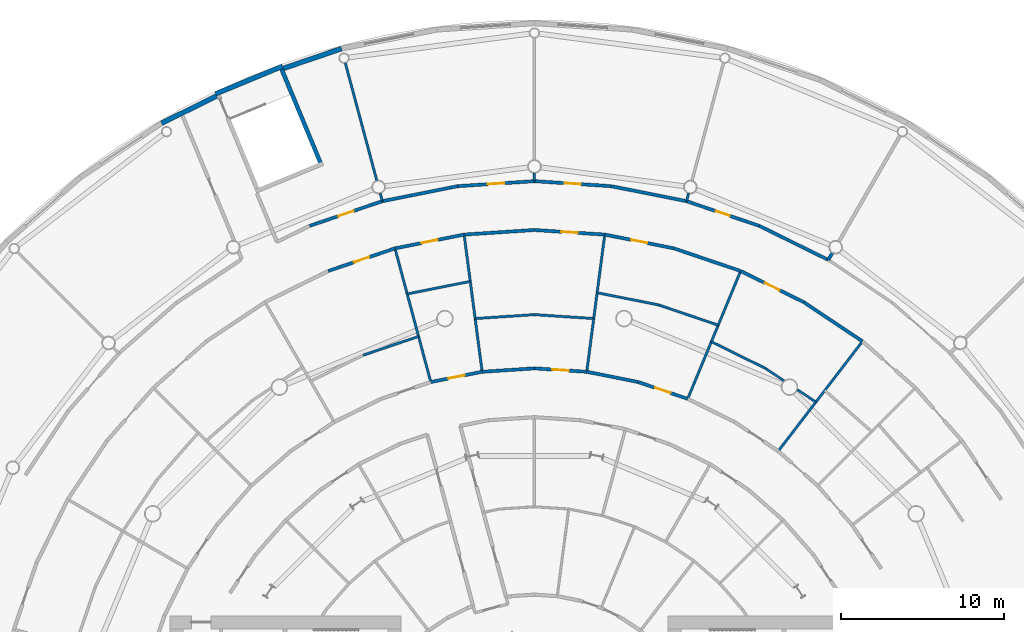
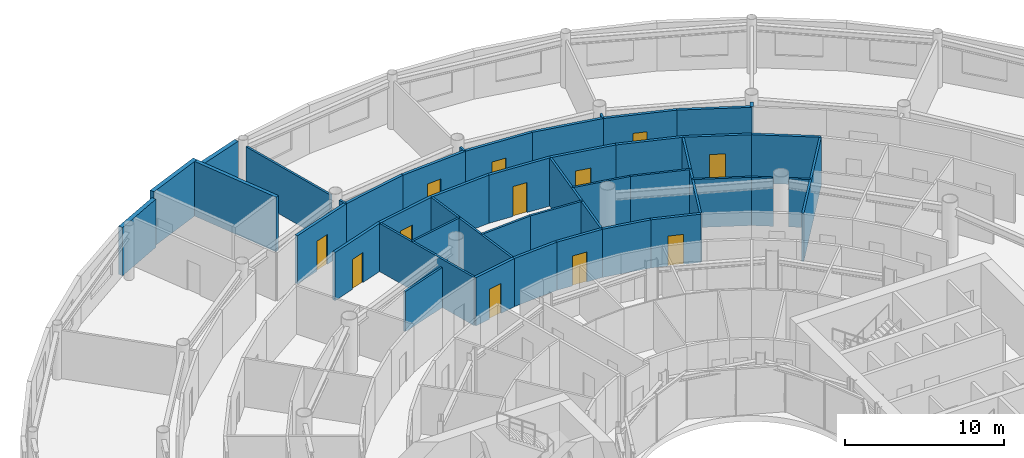
# One storey, part 22 of 29: 43 walls, 12 doors, 12 openings.
"""IFC4 building model written with IfcOpenShell, lengths in metres."""

from ifc_helpers import new_model, si_unit, direction, frame, frame_2d, origin, place, context, subcontext, project, spatial, rectangle, extrude, material, layer, layer_set, type_object, element, fill, save


model = new_model("IFC4")

# Units and contexts
model_context = context("Model", 3, precision=1e-05, world=origin(), true_north=direction((0.0, 1.0)))
body_context = subcontext(model_context, "Body", "Model", "MODEL_VIEW")
ifc_project = project(units=[si_unit("LENGTHUNIT", "METRE"), si_unit("AREAUNIT", "SQUARE_METRE"), si_unit("VOLUMEUNIT", "CUBIC_METRE"), si_unit("PLANEANGLEUNIT", "RADIAN"), si_unit("MASSUNIT", "GRAM", prefix="KILO")], contexts=[model_context])

# Site, building, storey
site_placement = place(None, origin())
site = spatial("IfcSite", under=ifc_project, at=site_placement, CompositionType="ELEMENT")
building_placement = place(site_placement, origin())
building = spatial("IfcBuilding", under=site, at=building_placement, Name="Maasbend Ring Residences", CompositionType="ELEMENT")
storey_placement = place(building_placement, frame((0.0, 0.0, 5.39990234375)))
storey = spatial("IfcBuildingStorey", under=building, at=storey_placement, Name="L01", CompositionType="ELEMENT", Elevation=5.39990234375)

# Walls
ifc_material_1 = material(Name="Concrete C70/85", Category="concrete")
ifc_layer_1 = layer(ifc_material_1, 0.25)
ifc_layer_set_1 = layer_set([ifc_layer_1], Name="Concrete C70/85")
wall_type_1 = type_object("IfcWallType", Name="CORE WALL 250 C70/85", PredefinedType="SHEAR", material=ifc_layer_set_1)
wall_1_placement = place(storey_placement, frame((-13.06103515625, 37.019775390625, 0.0), z_axis=(0.0, 0.0, 1.0), x_axis=(-0.38267940576, 0.923881200375, 0.0)))
element("IfcWall", 1, at=wall_1_placement, inside=storey, type_object=wall_type_1, Name="L01 ST-P1 enclosure wall WS-", PredefinedType="SHEAR", context=body_context, shape_type="SweptSolid", body=[
    extrude(rectangle(XDim=6.449951171875, YDim=0.25, at=frame_2d((3.22509765625, 0.0))), origin(), (0.0, 0.0, 1.0), 4.2001953125),
])
ifc_material_2 = material(Name="Concrete C70/85", Category="concrete")
ifc_layer_2 = layer(ifc_material_2, 0.300048828125)
ifc_layer_set_2 = layer_set([ifc_layer_2], Name="Concrete C70/85")
wall_type_2 = type_object("IfcWallType", Name="CORE WALL 300 C70/85", PredefinedType="SHEAR", material=ifc_layer_set_2)
wall_2_placement = place(storey_placement, frame((-15.47119140625, 43.1650390625, 0.0), z_axis=(0.0, 0.0, 1.0), x_axis=(-0.923886445216, -0.382666743194, 0.0)))
element("IfcWall", 2, at=wall_2_placement, inside=storey, type_object=wall_type_2, Name="L01 ST-P1 enclosure wall WOUT", PredefinedType="SHEAR", context=body_context, shape_type="SweptSolid", body=[
    extrude(rectangle(XDim=4.449951171875, YDim=0.300048828125, at=frame_2d((2.22509765625, 0.0))), origin(), (0.0, 0.0, 1.0), 4.2001953125),
])
ifc_material_3 = material(Name="Concrete C30/37", Category="concrete")
ifc_layer_3 = layer(ifc_material_3, 0.199951171875)
ifc_layer_set_3 = layer_set([ifc_layer_3], Name="Concrete C30/37")
wall_type_3 = type_object("IfcWallType", Name="CORRIDOR WALL 200 CONCRETE", PredefinedType="PARTITIONING", material=ifc_layer_set_3)
wall_3_placement = place(storey_placement, frame((18.052001953125, 31.262939453125, 0.0), z_axis=(0.0, 0.0, 1.0), x_axis=(0.499919672301, 0.866071776036, 0.0)))
element("IfcWall", 3, at=wall_3_placement, inside=storey, type_object=wall_type_3, Name="U-L01-w178", PredefinedType="PARTITIONING", context=body_context, shape_type="SweptSolid", body=[
    extrude(rectangle(XDim=0.5, YDim=0.199951171875, at=frame_2d((0.25, 0.0))), origin(), (0.0, 0.0, 1.0), 3.7001953125),
])

# Wall, opening, door
wall_4_placement = place(storey_placement, frame((-6.366943359375, 23.761962890625, 0.0), z_axis=(0.0, 0.0, 1.0), x_axis=(0.98077570041, 0.195138477717, 0.0)))
wall_4 = element("IfcWall", 4, at=wall_4_placement, inside=storey, type_object=wall_type_3, Name="U-L01-w250", PredefinedType="PARTITIONING", context=body_context, shape_type="SweptSolid", body=[
    extrude(rectangle(XDim=3.2177734375, YDim=0.199951171875, at=frame_2d((1.60888671875, 0.0))), origin(), (0.0, 0.0, 1.0), 3.7001953125),
])
opening_1_placement = place(wall_4_placement, frame((1.10888671875, 0.0, 0.0)))
opening_1 = element("IfcOpeningElement", 5, at=opening_1_placement, cuts=wall_4, Name="Opening D-0142", PredefinedType="OPENING", context=body_context, shape_type="SweptSolid", body=[
    extrude(rectangle(XDim=1.0, YDim=2.300048828125, at=frame_2d((0.5, 1.14990234375))), frame((0.0, 0.10986328125, 0.0), z_axis=(0.0, -1.0, 0.0), x_axis=(1.0, 0.0, 0.0)), (0.0, 0.0, 1.0), 0.219970703125),
])
ifc_material_4 = material(Name="Timber, painted", Category="wood")
door_type_1 = type_object("IfcDoorType", Name="ROOM DOOR 1000 X 2300", OperationType="NOTDEFINED", PredefinedType="DOOR", material=ifc_material_4)
door_1_placement = place(opening_1_placement, origin())
door_1 = element("IfcDoor", 6, at=door_1_placement, inside=storey, type_object=door_type_1, Name="D-0142", OperationType="SINGLE_SWING_RIGHT", OverallHeight=2.300048828125, OverallWidth=1.0, PredefinedType="DOOR", context=body_context, shape_type="SweptSolid", body=[
    extrude(rectangle(XDim=1.0, YDim=2.300048828125, at=frame_2d((0.5, 1.14990234375))), frame((0.0, 0.02490234375, 0.0), z_axis=(0.0, -1.0, 0.0), x_axis=(1.0, 0.0, 0.0)), (0.0, 0.0, 1.0), 0.050048828125),
])
fill(opening_1, door_1)

# Wall
wall_5_placement = place(storey_placement, frame((-3.2109375, 24.389892578125, 0.0), z_axis=(0.0, 0.0, 1.0), x_axis=(0.997864008616, 0.06532549509, 0.0)))
element("IfcWall", 7, at=wall_5_placement, inside=storey, type_object=wall_type_3, Name="U-L01-w251", PredefinedType="PARTITIONING", context=body_context, shape_type="SweptSolid", body=[
    extrude(rectangle(XDim=3.2177734375, YDim=0.199951171875, at=frame_2d((1.60888671875, 0.0))), origin(), (0.0, 0.0, 1.0), 3.7001953125),
])

# Wall, opening, door
wall_6_placement = place(storey_placement, frame((0.0, 24.60009765625, 0.0), z_axis=(0.0, 0.0, 1.0), x_axis=(0.997864008616, -0.06532549509, 0.0)))
wall_6 = element("IfcWall", 8, at=wall_6_placement, inside=storey, type_object=wall_type_3, Name="U-L01-w252", PredefinedType="PARTITIONING", context=body_context, shape_type="SweptSolid", body=[
    extrude(rectangle(XDim=3.2177734375, YDim=0.199951171875, at=frame_2d((1.60888671875, 0.0))), origin(), (0.0, 0.0, 1.0), 3.7001953125),
])
opening_2_placement = place(wall_6_placement, frame((1.10888671875, 0.0, 0.0)))
opening_2 = element("IfcOpeningElement", 9, at=opening_2_placement, cuts=wall_6, Name="Opening D-0140", PredefinedType="OPENING", context=body_context, shape_type="SweptSolid", body=[
    extrude(rectangle(XDim=1.0, YDim=2.300048828125, at=frame_2d((0.5, 1.14990234375))), frame((0.0, 0.10986328125, 0.0), z_axis=(0.0, -1.0, 0.0), x_axis=(1.0, 0.0, 0.0)), (0.0, 0.0, 1.0), 0.219970703125),
])
door_2_placement = place(opening_2_placement, origin())
door_2 = element("IfcDoor", 10, at=door_2_placement, inside=storey, type_object=door_type_1, Name="D-0140", OperationType="SINGLE_SWING_RIGHT", OverallHeight=2.300048828125, OverallWidth=1.0, PredefinedType="DOOR", context=body_context, shape_type="SweptSolid", body=[
    extrude(rectangle(XDim=1.0, YDim=2.300048828125, at=frame_2d((0.5, 1.14990234375))), frame((0.0, 0.02490234375, 0.0), z_axis=(0.0, -1.0, 0.0), x_axis=(1.0, 0.0, 0.0)), (0.0, 0.0, 1.0), 0.050048828125),
])
fill(opening_2, door_2)

# Wall
wall_7_placement = place(storey_placement, frame((3.2109375, 24.389892578125, 0.0), z_axis=(0.0, 0.0, 1.0), x_axis=(0.98077570041, -0.195138477717, 0.0)))
element("IfcWall", 11, at=wall_7_placement, inside=storey, type_object=wall_type_3, Name="U-L01-w253", PredefinedType="PARTITIONING", context=body_context, shape_type="SweptSolid", body=[
    extrude(rectangle(XDim=3.2177734375, YDim=0.199951171875, at=frame_2d((1.60888671875, 0.0))), origin(), (0.0, 0.0, 1.0), 3.7001953125),
])

# Wall, opening, door
wall_8_placement = place(storey_placement, frame((6.366943359375, 23.761962890625, 0.0), z_axis=(0.0, 0.0, 1.0), x_axis=(0.946877665823, -0.321593976879, 0.0)))
wall_8 = element("IfcWall", 12, at=wall_8_placement, inside=storey, type_object=wall_type_3, Name="U-L01-w254", PredefinedType="PARTITIONING", context=body_context, shape_type="SweptSolid", body=[
    extrude(rectangle(XDim=3.218017578125, YDim=0.199951171875, at=frame_2d((1.60888671875, 0.0))), origin(), (0.0, 0.0, 1.0), 3.7001953125),
])
opening_3_placement = place(wall_8_placement, frame((1.10888671875, 0.0, 0.0)))
opening_3 = element("IfcOpeningElement", 13, at=opening_3_placement, cuts=wall_8, Name="Opening D-0138", PredefinedType="OPENING", context=body_context, shape_type="SweptSolid", body=[
    extrude(rectangle(XDim=1.0, YDim=2.300048828125, at=frame_2d((0.5, 1.14990234375))), frame((0.0, 0.10986328125, 0.0), z_axis=(0.0, -1.0, 0.0), x_axis=(1.0, 0.0, 0.0)), (0.0, 0.0, 1.0), 0.219970703125),
])
door_3_placement = place(opening_3_placement, origin())
door_3 = element("IfcDoor", 14, at=door_3_placement, inside=storey, type_object=door_type_1, Name="D-0138", OperationType="SINGLE_SWING_RIGHT", OverallHeight=2.300048828125, OverallWidth=1.0, PredefinedType="DOOR", context=body_context, shape_type="SweptSolid", body=[
    extrude(rectangle(XDim=1.0, YDim=2.300048828125, at=frame_2d((0.5, 1.14990234375))), frame((0.0, 0.02490234375, 0.0), z_axis=(0.0, -1.0, 0.0), x_axis=(1.0, 0.0, 0.0)), (0.0, 0.0, 1.0), 0.050048828125),
])
fill(opening_3, door_3)

wall_9_placement = place(storey_placement, frame((-12.6669921875, 30.580078125, 0.0), z_axis=(0.0, 0.0, 1.0), x_axis=(0.946926608104, 0.3214498388, 0.0)))
wall_9 = element("IfcWall", 15, at=wall_9_placement, inside=storey, type_object=wall_type_3, Name="U-L01-w292", PredefinedType="PARTITIONING", context=body_context, shape_type="SweptSolid", body=[
    extrude(rectangle(XDim=4.329833984375, YDim=0.199951171875, at=frame_2d((2.1650390625, 0.0))), origin(), (0.0, 0.0, 1.0), 3.7001953125),
])
opening_4_placement = place(wall_9_placement, frame((1.6650390625, 0.0, 0.0)))
opening_4 = element("IfcOpeningElement", 16, at=opening_4_placement, cuts=wall_9, Name="Opening D-0145", PredefinedType="OPENING", context=body_context, shape_type="SweptSolid", body=[
    extrude(rectangle(XDim=1.0, YDim=2.300048828125, at=frame_2d((0.5, 1.14990234375))), frame((0.0, 0.10986328125, 0.0), z_axis=(0.0, -1.0, 0.0), x_axis=(1.0, 0.0, 0.0)), (0.0, 0.0, 1.0), 0.219970703125),
])
door_4_placement = place(opening_4_placement, origin())
door_4 = element("IfcDoor", 17, at=door_4_placement, inside=storey, type_object=door_type_1, Name="D-0145", OperationType="SINGLE_SWING_RIGHT", OverallHeight=2.300048828125, OverallWidth=1.0, PredefinedType="DOOR", context=body_context, shape_type="SweptSolid", body=[
    extrude(rectangle(XDim=1.0, YDim=2.300048828125, at=frame_2d((0.5, 1.14990234375))), frame((0.0, 0.02490234375, 0.0), z_axis=(0.0, -1.0, 0.0), x_axis=(1.0, 0.0, 0.0)), (0.0, 0.0, 1.0), 0.050048828125),
])
fill(opening_4, door_4)

wall_10_placement = place(storey_placement, frame((-8.56689453125, 31.971923828125, 0.0), z_axis=(0.0, 0.0, 1.0), x_axis=(0.980775360662, 0.195140185298, 0.0)))
wall_10 = element("IfcWall", 18, at=wall_10_placement, inside=storey, type_object=wall_type_3, Name="U-L01-w293", PredefinedType="PARTITIONING", context=body_context, shape_type="SweptSolid", body=[
    extrude(rectangle(XDim=4.330078125, YDim=0.199951171875, at=frame_2d((2.1650390625, 0.0))), origin(), (0.0, 0.0, 1.0), 3.7001953125),
])
opening_5_placement = place(wall_10_placement, frame((1.6650390625, 0.0, 0.0)))
opening_5 = element("IfcOpeningElement", 19, at=opening_5_placement, cuts=wall_10, Name="Opening D-0143", PredefinedType="OPENING", context=body_context, shape_type="SweptSolid", body=[
    extrude(rectangle(XDim=1.0, YDim=2.300048828125, at=frame_2d((0.5, 1.14990234375))), frame((0.0, 0.10986328125, 0.0), z_axis=(0.0, -1.0, 0.0), x_axis=(1.0, 0.0, 0.0)), (0.0, 0.0, 1.0), 0.219970703125),
])
door_5_placement = place(opening_5_placement, origin())
door_5 = element("IfcDoor", 20, at=door_5_placement, inside=storey, type_object=door_type_1, Name="D-0143", OperationType="SINGLE_SWING_RIGHT", OverallHeight=2.300048828125, OverallWidth=1.0, PredefinedType="DOOR", context=body_context, shape_type="SweptSolid", body=[
    extrude(rectangle(XDim=1.0, YDim=2.300048828125, at=frame_2d((0.5, 1.14990234375))), frame((0.0, 0.02490234375, 0.0), z_axis=(0.0, -1.0, 0.0), x_axis=(1.0, 0.0, 0.0)), (0.0, 0.0, 1.0), 0.050048828125),
])
fill(opening_5, door_5)

# Wall
wall_11_placement = place(storey_placement, frame((-4.320068359375, 32.81689453125, 0.0), z_axis=(0.0, 0.0, 1.0), x_axis=(0.997858156097, 0.065414832499, 0.0)))
element("IfcWall", 21, at=wall_11_placement, inside=storey, type_object=wall_type_3, Name="U-L01-w294", PredefinedType="PARTITIONING", context=body_context, shape_type="SweptSolid", body=[
    extrude(rectangle(XDim=4.329345703125, YDim=0.199951171875, at=frame_2d((2.16455078125, 0.0))), origin(), (0.0, 0.0, 1.0), 3.7001953125),
])

# Wall, opening, door
wall_12_placement = place(storey_placement, frame((0.0, 33.10009765625, 0.0), z_axis=(0.0, 0.0, 1.0), x_axis=(0.997858156097, -0.065414832499, 0.0)))
wall_12 = element("IfcWall", 22, at=wall_12_placement, inside=storey, type_object=wall_type_3, Name="U-L01-w295", PredefinedType="PARTITIONING", context=body_context, shape_type="SweptSolid", body=[
    extrude(rectangle(XDim=4.329345703125, YDim=0.199951171875, at=frame_2d((2.16455078125, 0.0))), origin(), (0.0, 0.0, 1.0), 3.7001953125),
])
opening_6_placement = place(wall_12_placement, frame((1.6650390625, 0.0, 0.0)))
opening_6 = element("IfcOpeningElement", 23, at=opening_6_placement, cuts=wall_12, Name="Opening D-0141", PredefinedType="OPENING", context=body_context, shape_type="SweptSolid", body=[
    extrude(rectangle(XDim=1.0, YDim=2.300048828125, at=frame_2d((0.5, 1.14990234375))), frame((0.0, 0.10986328125, 0.0), z_axis=(0.0, -1.0, 0.0), x_axis=(1.0, 0.0, 0.0)), (0.0, 0.0, 1.0), 0.219970703125),
])
door_6_placement = place(opening_6_placement, origin())
door_6 = element("IfcDoor", 24, at=door_6_placement, inside=storey, type_object=door_type_1, Name="D-0141", OperationType="SINGLE_SWING_RIGHT", OverallHeight=2.300048828125, OverallWidth=1.0, PredefinedType="DOOR", context=body_context, shape_type="SweptSolid", body=[
    extrude(rectangle(XDim=1.0, YDim=2.300048828125, at=frame_2d((0.5, 1.14990234375))), frame((0.0, 0.02490234375, 0.0), z_axis=(0.0, -1.0, 0.0), x_axis=(1.0, 0.0, 0.0)), (0.0, 0.0, 1.0), 0.050048828125),
])
fill(opening_6, door_6)

wall_13_placement = place(storey_placement, frame((4.320068359375, 32.81689453125, 0.0), z_axis=(0.0, 0.0, 1.0), x_axis=(0.980775360662, -0.195140185298, 0.0)))
wall_13 = element("IfcWall", 25, at=wall_13_placement, inside=storey, type_object=wall_type_3, Name="U-L01-w296", PredefinedType="PARTITIONING", context=body_context, shape_type="SweptSolid", body=[
    extrude(rectangle(XDim=4.330078125, YDim=0.199951171875, at=frame_2d((2.1650390625, 0.0))), origin(), (0.0, 0.0, 1.0), 3.7001953125),
])
opening_7_placement = place(wall_13_placement, frame((1.6650390625, 0.0, 0.0)))
opening_7 = element("IfcOpeningElement", 26, at=opening_7_placement, cuts=wall_13, Name="Opening D-0139", PredefinedType="OPENING", context=body_context, shape_type="SweptSolid", body=[
    extrude(rectangle(XDim=1.0, YDim=2.300048828125, at=frame_2d((0.5, 1.14990234375))), frame((0.0, 0.10986328125, 0.0), z_axis=(0.0, -1.0, 0.0), x_axis=(1.0, 0.0, 0.0)), (0.0, 0.0, 1.0), 0.219970703125),
])
door_7_placement = place(opening_7_placement, origin())
door_7 = element("IfcDoor", 27, at=door_7_placement, inside=storey, type_object=door_type_1, Name="D-0139", OperationType="SINGLE_SWING_LEFT", OverallHeight=2.300048828125, OverallWidth=1.0, PredefinedType="DOOR", context=body_context, shape_type="SweptSolid", body=[
    extrude(rectangle(XDim=1.0, YDim=2.300048828125, at=frame_2d((0.5, 1.14990234375))), frame((0.0, 0.02490234375, 0.0), z_axis=(0.0, -1.0, 0.0), x_axis=(1.0, 0.0, 0.0)), (0.0, 0.0, 1.0), 0.050048828125),
])
fill(opening_7, door_7)

# Wall
wall_14_placement = place(storey_placement, frame((8.56689453125, 31.971923828125, 0.0), z_axis=(0.0, 0.0, 1.0), x_axis=(0.946926608104, -0.3214498388, 0.0)))
element("IfcWall", 28, at=wall_14_placement, inside=storey, type_object=wall_type_3, Name="U-L01-w297", PredefinedType="PARTITIONING", context=body_context, shape_type="SweptSolid", body=[
    extrude(rectangle(XDim=4.329833984375, YDim=0.199951171875, at=frame_2d((2.1650390625, 0.0))), origin(), (0.0, 0.0, 1.0), 3.7001953125),
])

# Wall, opening, door
wall_15_placement = place(storey_placement, frame((12.6669921875, 30.580078125, 0.0), z_axis=(0.0, 0.0, 1.0), x_axis=(0.89686106512, -0.442312366853, 0.0)))
wall_15 = element("IfcWall", 29, at=wall_15_placement, inside=storey, type_object=wall_type_3, Name="U-L01-w298", PredefinedType="PARTITIONING", context=body_context, shape_type="SweptSolid", body=[
    extrude(rectangle(XDim=4.32958984375, YDim=0.199951171875, at=frame_2d((2.164794921875, 0.0))), origin(), (0.0, 0.0, 1.0), 3.7001953125),
])
opening_8_placement = place(wall_15_placement, frame((1.6650390625, 0.0, 0.0)))
opening_8 = element("IfcOpeningElement", 30, at=opening_8_placement, cuts=wall_15, Name="Opening D-0137", PredefinedType="OPENING", context=body_context, shape_type="SweptSolid", body=[
    extrude(rectangle(XDim=1.0, YDim=2.300048828125, at=frame_2d((0.5, 1.14990234375))), frame((0.0, 0.10986328125, 0.0), z_axis=(0.0, -1.0, 0.0), x_axis=(1.0, 0.0, 0.0)), (0.0, 0.0, 1.0), 0.219970703125),
])
door_8_placement = place(opening_8_placement, origin())
door_8 = element("IfcDoor", 31, at=door_8_placement, inside=storey, type_object=door_type_1, Name="D-0137", OperationType="SINGLE_SWING_RIGHT", OverallHeight=2.300048828125, OverallWidth=1.0, PredefinedType="DOOR", context=body_context, shape_type="SweptSolid", body=[
    extrude(rectangle(XDim=1.0, YDim=2.300048828125, at=frame_2d((0.5, 1.14990234375))), frame((0.0, 0.02490234375, 0.0), z_axis=(0.0, -1.0, 0.0), x_axis=(1.0, 0.0, 0.0)), (0.0, 0.0, 1.0), 0.050048828125),
])
fill(opening_8, door_8)

# Wall
wall_16_placement = place(storey_placement, frame((16.550048828125, 28.6650390625, 0.0), z_axis=(0.0, 0.0, 1.0), x_axis=(0.831503319646, -0.555519783102, 0.0)))
element("IfcWall", 32, at=wall_16_placement, inside=storey, type_object=wall_type_3, Name="U-L01-w299", PredefinedType="PARTITIONING", context=body_context, shape_type="SweptSolid", body=[
    extrude(rectangle(XDim=4.329345703125, YDim=0.199951171875, at=frame_2d((2.16455078125, 0.0))), origin(), (0.0, 0.0, 1.0), 3.7001953125),
])

# Wall, opening, door
wall_17_placement = place(storey_placement, frame((-13.81494140625, 33.35205078125, 0.0), z_axis=(0.0, 0.0, 1.0), x_axis=(0.946926725229, 0.321449493775, 0.0)))
wall_17 = element("IfcWall", 33, at=wall_17_placement, inside=storey, type_object=wall_type_3, Name="U-L01-w308", PredefinedType="PARTITIONING", context=body_context, shape_type="SweptSolid", body=[
    extrude(rectangle(XDim=4.72265625, YDim=0.199951171875, at=frame_2d((2.361328125, 0.0))), origin(), (0.0, 0.0, 1.0), 3.7001953125),
])
opening_9_placement = place(wall_17_placement, frame((1.861083984375, 0.0, 0.0)))
opening_9 = element("IfcOpeningElement", 34, at=opening_9_placement, cuts=wall_17, Name="Opening D-0176", PredefinedType="OPENING", context=body_context, shape_type="SweptSolid", body=[
    extrude(rectangle(XDim=1.0, YDim=2.300048828125, at=frame_2d((0.5, 1.14990234375))), frame((0.0, 0.10986328125, 0.0), z_axis=(0.0, -1.0, 0.0), x_axis=(1.0, 0.0, 0.0)), (0.0, 0.0, 1.0), 0.219970703125),
])
door_9_placement = place(opening_9_placement, origin())
door_9 = element("IfcDoor", 35, at=door_9_placement, inside=storey, type_object=door_type_1, Name="D-0176", OperationType="SINGLE_SWING_LEFT", OverallHeight=2.300048828125, OverallWidth=1.0, PredefinedType="DOOR", context=body_context, shape_type="SweptSolid", body=[
    extrude(rectangle(XDim=1.0, YDim=2.300048828125, at=frame_2d((0.5, 1.14990234375))), frame((0.0, 0.02490234375, 0.0), z_axis=(0.0, -1.0, 0.0), x_axis=(1.0, 0.0, 0.0)), (0.0, 0.0, 1.0), 0.050048828125),
])
fill(opening_9, door_9)

# Wall
wall_18_placement = place(storey_placement, frame((-9.343017578125, 34.8701171875, 0.0), z_axis=(0.0, 0.0, 1.0), x_axis=(0.980796841032, 0.195032193809, 0.0)))
element("IfcWall", 36, at=wall_18_placement, inside=storey, type_object=wall_type_3, Name="U-L01-w309", PredefinedType="PARTITIONING", context=body_context, shape_type="SweptSolid", body=[
    extrude(rectangle(XDim=4.7216796875, YDim=0.199951171875, at=frame_2d((2.36083984375, 0.0))), origin(), (0.0, 0.0, 1.0), 3.7001953125),
])

# Wall, opening, door
wall_19_placement = place(storey_placement, frame((-4.7119140625, 35.791015625, 0.0), z_axis=(0.0, 0.0, 1.0), x_axis=(0.997855509942, 0.065455185264, 0.0)))
wall_19 = element("IfcWall", 37, at=wall_19_placement, inside=storey, type_object=wall_type_3, Name="U-L01-w310", PredefinedType="PARTITIONING", context=body_context, shape_type="SweptSolid", body=[
    extrude(rectangle(XDim=4.721923828125, YDim=0.199951171875, at=frame_2d((2.36083984375, 0.0))), origin(), (0.0, 0.0, 1.0), 3.7001953125),
])
opening_10_placement = place(wall_19_placement, frame((1.861083984375, 0.0, 0.0)))
opening_10 = element("IfcOpeningElement", 38, at=opening_10_placement, cuts=wall_19, Name="Opening D-0175", PredefinedType="OPENING", context=body_context, shape_type="SweptSolid", body=[
    extrude(rectangle(XDim=1.0, YDim=2.300048828125, at=frame_2d((0.5, 1.14990234375))), frame((0.0, 0.10986328125, 0.0), z_axis=(0.0, -1.0, 0.0), x_axis=(1.0, 0.0, 0.0)), (0.0, 0.0, 1.0), 0.219970703125),
])
door_10_placement = place(opening_10_placement, origin())
door_10 = element("IfcDoor", 39, at=door_10_placement, inside=storey, type_object=door_type_1, Name="D-0175", OperationType="SINGLE_SWING_LEFT", OverallHeight=2.300048828125, OverallWidth=1.0, PredefinedType="DOOR", context=body_context, shape_type="SweptSolid", body=[
    extrude(rectangle(XDim=1.0, YDim=2.300048828125, at=frame_2d((0.5, 1.14990234375))), frame((0.0, 0.02490234375, 0.0), z_axis=(0.0, -1.0, 0.0), x_axis=(1.0, 0.0, 0.0)), (0.0, 0.0, 1.0), 0.050048828125),
])
fill(opening_10, door_10)

wall_20_placement = place(storey_placement, frame((0.0, 36.10009765625, 0.0), z_axis=(0.0, 0.0, 1.0), x_axis=(0.997855509942, -0.065455185264, 0.0)))
wall_20 = element("IfcWall", 40, at=wall_20_placement, inside=storey, type_object=wall_type_3, Name="U-L01-w311", PredefinedType="PARTITIONING", context=body_context, shape_type="SweptSolid", body=[
    extrude(rectangle(XDim=4.721923828125, YDim=0.199951171875, at=frame_2d((2.36083984375, 0.0))), origin(), (0.0, 0.0, 1.0), 3.7001953125),
])
opening_11_placement = place(wall_20_placement, frame((1.861083984375, 0.0, 0.0)))
opening_11 = element("IfcOpeningElement", 41, at=opening_11_placement, cuts=wall_20, Name="Opening D-0174", PredefinedType="OPENING", context=body_context, shape_type="SweptSolid", body=[
    extrude(rectangle(XDim=1.0, YDim=2.300048828125, at=frame_2d((0.5, 1.14990234375))), frame((0.0, 0.10986328125, 0.0), z_axis=(0.0, -1.0, 0.0), x_axis=(1.0, 0.0, 0.0)), (0.0, 0.0, 1.0), 0.219970703125),
])
door_11_placement = place(opening_11_placement, origin())
door_11 = element("IfcDoor", 42, at=door_11_placement, inside=storey, type_object=door_type_1, Name="D-0174", OperationType="SINGLE_SWING_RIGHT", OverallHeight=2.300048828125, OverallWidth=1.0, PredefinedType="DOOR", context=body_context, shape_type="SweptSolid", body=[
    extrude(rectangle(XDim=1.0, YDim=2.300048828125, at=frame_2d((0.5, 1.14990234375))), frame((0.0, 0.02490234375, 0.0), z_axis=(0.0, -1.0, 0.0), x_axis=(1.0, 0.0, 0.0)), (0.0, 0.0, 1.0), 0.050048828125),
])
fill(opening_11, door_11)

# Wall
wall_21_placement = place(storey_placement, frame((4.7119140625, 35.791015625, 0.0), z_axis=(0.0, 0.0, 1.0), x_axis=(0.980796841032, -0.195032193809, 0.0)))
element("IfcWall", 43, at=wall_21_placement, inside=storey, type_object=wall_type_3, Name="U-L01-w312", PredefinedType="PARTITIONING", context=body_context, shape_type="SweptSolid", body=[
    extrude(rectangle(XDim=4.7216796875, YDim=0.199951171875, at=frame_2d((2.36083984375, 0.0))), origin(), (0.0, 0.0, 1.0), 3.7001953125),
])

# Wall, opening, door
wall_22_placement = place(storey_placement, frame((9.343017578125, 34.8701171875, 0.0), z_axis=(0.0, 0.0, 1.0), x_axis=(0.946926725229, -0.321449493775, 0.0)))
wall_22 = element("IfcWall", 44, at=wall_22_placement, inside=storey, type_object=wall_type_3, Name="U-L01-w313", PredefinedType="PARTITIONING", context=body_context, shape_type="SweptSolid", body=[
    extrude(rectangle(XDim=4.72265625, YDim=0.199951171875, at=frame_2d((2.361328125, 0.0))), origin(), (0.0, 0.0, 1.0), 3.7001953125),
])
opening_12_placement = place(wall_22_placement, frame((1.910888671875, 0.0, 0.0)))
opening_12 = element("IfcOpeningElement", 45, at=opening_12_placement, cuts=wall_22, Name="Opening D-0173", PredefinedType="OPENING", context=body_context, shape_type="SweptSolid", body=[
    extrude(rectangle(XDim=0.89990234375, YDim=2.300048828125, at=frame_2d((0.449951171875, 1.14990234375))), frame((0.0, 0.10986328125, 0.0), z_axis=(0.0, -1.0, 0.0), x_axis=(1.0, 0.0, 0.0)), (0.0, 0.0, 1.0), 0.219970703125),
])
ifc_material_5 = material(Name="Steel, fire-rated, painted", Category="steel")
door_type_2 = type_object("IfcDoorType", Name="SERVICE DOOR 900 X 2300 FIRE-RATED", OperationType="NOTDEFINED", PredefinedType="DOOR", material=ifc_material_5)
door_12_placement = place(opening_12_placement, origin())
door_12 = element("IfcDoor", 46, at=door_12_placement, inside=storey, type_object=door_type_2, Name="D-0173", OperationType="SINGLE_SWING_RIGHT", OverallHeight=2.300048828125, OverallWidth=0.89990234375, PredefinedType="DOOR", context=body_context, shape_type="SweptSolid", body=[
    extrude(rectangle(XDim=0.89990234375, YDim=2.300048828125, at=frame_2d((0.449951171875, 1.14990234375))), frame((0.0, 0.02490234375, 0.0), z_axis=(0.0, -1.0, 0.0), x_axis=(1.0, 0.0, 0.0)), (0.0, 0.0, 1.0), 0.050048828125),
])
fill(opening_12, door_12)

# Walls
wall_23_placement = place(storey_placement, frame((13.81494140625, 33.35205078125, 0.0), z_axis=(0.0, 0.0, 1.0), x_axis=(0.896905425474, -0.442222407568, 0.0)))
element("IfcWall", 47, at=wall_23_placement, inside=storey, type_object=wall_type_3, Name="U-L01-w314", PredefinedType="PARTITIONING", context=body_context, shape_type="SweptSolid", body=[
    extrude(rectangle(XDim=4.721923828125, YDim=0.199951171875, at=frame_2d((2.36083984375, 0.0))), origin(), (0.0, 0.0, 1.0), 3.7001953125),
])
ifc_material_6 = material(Name="Pale anodised aluminium panel", Category="aluminium")
ifc_layer_4 = layer(ifc_material_6, 0.300048828125)
ifc_layer_set_4 = layer_set([ifc_layer_4], Name="EW-BASE")
wall_type_4 = type_object("IfcWallType", Name="EW-BASE", PredefinedType="SOLIDWALL", material=ifc_layer_set_4)
wall_24_placement = place(storey_placement, frame((-11.85400390625, 44.239013671875, 0.0), z_axis=(0.0, 0.0, 1.0), x_axis=(-0.946915897629, -0.321481387979, 0.0)))
element("IfcWall", 48, at=wall_24_placement, inside=storey, type_object=wall_type_4, Name="Base block wall 15a", PredefinedType="SOLIDWALL", context=body_context, shape_type="SweptSolid", body=[
    extrude(rectangle(XDim=3.7607421875, YDim=0.300048828125, at=frame_2d((1.88037109375, 0.0))), origin(), (0.0, 0.0, 1.0), 3.7001953125),
])
wall_25_placement = place(storey_placement, frame((-19.527099609375, 41.326904296875, 0.0), z_axis=(0.0, 0.0, 1.0), x_axis=(-0.896919197762, -0.44219447383, 0.0)))
element("IfcWall", 49, at=wall_25_placement, inside=storey, type_object=wall_type_4, Name="Base block wall 16a", PredefinedType="SOLIDWALL", context=body_context, shape_type="SweptSolid", body=[
    extrude(rectangle(XDim=3.760498046875, YDim=0.300048828125, at=frame_2d((1.88037109375, 0.0))), origin(), (0.0, 0.0, 1.0), 3.7001953125),
])
ifc_material_7 = material(Name="Gypsum board on steel studs", Category="steel")
ifc_layer_5 = layer(ifc_material_7, 0.14990234375)
ifc_layer_set_5 = layer_set([ifc_layer_5], Name="PARTITION 150 GYPSUM")
wall_type_5 = type_object("IfcWallType", Name="PARTITION 150 GYPSUM", PredefinedType="PARTITIONING", material=ifc_layer_set_5)
wall_26_placement = place(storey_placement, frame((3.212890625, 24.389892578125, 0.0), z_axis=(0.0, 0.0, 1.0), x_axis=(0.130265034912, 0.991479208395, 0.0)))
element("IfcWall", 50, at=wall_26_placement, inside=storey, type_object=wall_type_5, Name="U-L01-w130", PredefinedType="PARTITIONING", context=body_context, shape_type="SweptSolid", body=[
    extrude(rectangle(XDim=8.49951171875, YDim=0.14990234375, at=frame_2d((4.249755859375, 0.0))), origin(), (0.0, 0.0, 1.0), 3.7001953125),
])
wall_27_placement = place(storey_placement, frame((-11.6201171875, 43.3701171875, 0.0), z_axis=(0.0, 0.0, 1.0), x_axis=(0.258677511578, -0.965963738969, 0.0)))
element("IfcWall", 51, at=wall_27_placement, inside=storey, type_object=wall_type_5, Name="U-L01-w145", PredefinedType="PARTITIONING", context=body_context, shape_type="SweptSolid", body=[
    extrude(rectangle(XDim=7.50048828125, YDim=0.14990234375, at=frame_2d((3.750244140625, 0.0))), origin(), (0.0, 0.0, 1.0), 3.7001953125),
])
wall_28_placement = place(storey_placement, frame((-9.472900390625, 35.35302734375, 0.0), z_axis=(0.0, 0.0, 1.0), x_axis=(0.259728349388, -0.965681720094, 0.0)))
element("IfcWall", 52, at=wall_28_placement, inside=storey, type_object=wall_type_5, Name="U-L01-w150", PredefinedType="PARTITIONING", context=body_context, shape_type="SweptSolid", body=[
    extrude(rectangle(XDim=0.5, YDim=0.14990234375, at=frame_2d((0.25, 0.0))), origin(), (0.0, 0.0, 1.0), 3.7001953125),
])
wall_29_placement = place(storey_placement, frame((-8.56689453125, 31.971923828125, 0.0), z_axis=(0.0, 0.0, 1.0), x_axis=(0.258722684363, -0.96595164092, 0.0)))
element("IfcWall", 53, at=wall_29_placement, inside=storey, type_object=wall_type_5, Name="U-L01-w152", PredefinedType="PARTITIONING", context=body_context, shape_type="SweptSolid", body=[
    extrude(rectangle(XDim=8.499267578125, YDim=0.14990234375, at=frame_2d((4.24951171875, 0.0))), origin(), (0.0, 0.0, 1.0), 3.7001953125),
])
wall_30_placement = place(storey_placement, frame((-4.320068359375, 32.81689453125, 0.0), z_axis=(0.0, 0.0, 1.0), x_axis=(0.130377980178, -0.991464362589, 0.0)))
element("IfcWall", 54, at=wall_30_placement, inside=storey, type_object=wall_type_5, Name="U-L01-w154", PredefinedType="PARTITIONING", context=body_context, shape_type="SweptSolid", body=[
    extrude(rectangle(XDim=8.49951171875, YDim=0.14990234375, at=frame_2d((4.249755859375, 0.0))), origin(), (0.0, 0.0, 1.0), 3.7001953125),
])
wall_31_placement = place(storey_placement, frame((0.0, 36.10009765625, 0.0), z_axis=(0.0, 0.0, 1.0), x_axis=(0.0, 1.0, 0.0)))
element("IfcWall", 55, at=wall_31_placement, inside=storey, type_object=wall_type_5, Name="U-L01-w161", PredefinedType="PARTITIONING", context=body_context, shape_type="SweptSolid", body=[
    extrude(rectangle(XDim=0.492919921875, YDim=0.14990234375, at=frame_2d((0.24658203125, 0.0))), origin(), (0.0, 0.0, 1.0), 3.7001953125),
])
wall_32_placement = place(storey_placement, frame((9.341064453125, 34.8701171875, 0.0), z_axis=(0.0, 0.0, 1.0), x_axis=(0.259239435518, 0.965813084956, 0.0)))
element("IfcWall", 56, at=wall_32_placement, inside=storey, type_object=wall_type_5, Name="U-L01-w169", PredefinedType="PARTITIONING", context=body_context, shape_type="SweptSolid", body=[
    extrude(rectangle(XDim=0.5009765625, YDim=0.14990234375, at=frame_2d((0.25048828125, 0.0))), origin(), (0.0, 0.0, 1.0), 3.7001953125),
])
wall_33_placement = place(storey_placement, frame((9.4140625, 22.72705078125, 0.0), z_axis=(0.0, 0.0, 1.0), x_axis=(0.38259533032, 0.923916020652, 0.0)))
element("IfcWall", 57, at=wall_33_placement, inside=storey, type_object=wall_type_5, Name="U-L01-w170", PredefinedType="PARTITIONING", context=body_context, shape_type="SweptSolid", body=[
    extrude(rectangle(XDim=8.499755859375, YDim=0.14990234375, at=frame_2d((4.25, 0.0))), origin(), (0.0, 0.0, 1.0), 3.7001953125),
])
wall_34_placement = place(storey_placement, frame((14.97607421875, 19.51611328125, 0.0), z_axis=(0.0, 0.0, 1.0), x_axis=(0.608691402198, 0.793407068843, 0.0)))
element("IfcWall", 58, at=wall_34_placement, inside=storey, type_object=wall_type_5, Name="U-L01-w175", PredefinedType="PARTITIONING", context=body_context, shape_type="SweptSolid", body=[
    extrude(rectangle(XDim=8.5, YDim=0.14990234375, at=frame_2d((4.25, 0.0))), origin(), (0.0, 0.0, 1.0), 3.7001953125),
])
wall_35_placement = place(storey_placement, frame((-10.52392578125, 25.406982421875, 0.0), z_axis=(0.0, 0.0, 1.0), x_axis=(0.94694513539, 0.321395255972, 0.0)))
element("IfcWall", 59, at=wall_35_placement, inside=storey, type_object=wall_type_5, Name="U-L01-w261", PredefinedType="PARTITIONING", context=body_context, shape_type="SweptSolid", body=[
    extrude(rectangle(XDim=3.596923828125, YDim=0.14990234375, at=frame_2d((1.79833984375, 0.0))), origin(), (0.0, 0.0, 1.0), 3.080078125),
])
for number, where, z_axis, x_axis, name in (
    (60, (-3.64208984375, 27.660888671875, 0.0), (0.0, 0.0, 1.0), (0.997853582685, 0.065484559421, 0.0), "U-L01-w262"),
    (61, (0.0, 27.89990234375, 0.0), (0.0, 0.0, 1.0), (0.997853582685, -0.065484559421, 0.0), "U-L01-w263"),
):
    element("IfcWall", number, at=place(storey_placement, frame(where, z_axis=z_axis, x_axis=x_axis)), inside=storey, type_object=wall_type_5, Name=name, PredefinedType="PARTITIONING", context=body_context, shape_type="SweptSolid", body=[
        extrude(rectangle(XDim=3.64990234375, YDim=0.14990234375, at=frame_2d((1.824951171875, 0.0))), origin(), (0.0, 0.0, 1.0), 3.7001953125),
    ])
wall_36_placement = place(storey_placement, frame((10.867919921875, 26.238037109375, 0.0), z_axis=(0.0, 0.0, 1.0), x_axis=(0.896884439776, -0.442264967738, 0.0)))
element("IfcWall", 62, at=wall_36_placement, inside=storey, type_object=wall_type_5, Name="U-L01-w267", PredefinedType="PARTITIONING", context=body_context, shape_type="SweptSolid", body=[
    extrude(rectangle(XDim=3.715087890625, YDim=0.14990234375, at=frame_2d((1.857421875, 0.0))), origin(), (0.0, 0.0, 1.0), 3.7001953125),
])
for number, where, z_axis, x_axis, name in (
    (63, (14.199951171875, 24.594970703125, 0.0), (0.0, 0.0, 1.0), (0.831640513468, -0.55531437615, 0.0), "U-L01-w268"),
    (64, (16.14501953125, 23.294921875, 0.0), (0.0, 0.0, 1.0), (0.831640513468, -0.55531437615, 0.0), "U-L01-w269"),
):
    element("IfcWall", number, at=place(storey_placement, frame(where, z_axis=z_axis, x_axis=x_axis)), inside=storey, type_object=wall_type_5, Name=name, PredefinedType="PARTITIONING", context=body_context, shape_type="SweptSolid", body=[
        extrude(rectangle(XDim=1.375732421875, YDim=0.14990234375, at=frame_2d((0.68798828125, 0.0))), origin(), (0.0, 0.0, 1.0), 3.7001953125),
    ])
wall_37_placement = place(storey_placement, frame((3.85107421875, 29.248046875, 0.0), z_axis=(0.0, 0.0, 1.0), x_axis=(0.980772477442, -0.195154675813, 0.0)))
element("IfcWall", 65, at=wall_37_placement, inside=storey, type_object=wall_type_5, Name="U-L01-w278", PredefinedType="PARTITIONING", context=body_context, shape_type="SweptSolid", body=[
    extrude(rectangle(XDim=3.858154296875, YDim=0.14990234375, at=frame_2d((1.92919921875, 0.0))), origin(), (0.0, 0.0, 1.0), 3.7001953125),
])
wall_38_placement = place(storey_placement, frame((7.635009765625, 28.4951171875, 0.0), z_axis=(0.0, 0.0, 1.0), x_axis=(0.946864867945, -0.321631655551, 0.0)))
element("IfcWall", 66, at=wall_38_placement, inside=storey, type_object=wall_type_5, Name="U-L01-w279", PredefinedType="PARTITIONING", context=body_context, shape_type="SweptSolid", body=[
    extrude(rectangle(XDim=3.859130859375, YDim=0.14990234375, at=frame_2d((1.9296875, 0.0))), origin(), (0.0, 0.0, 1.0), 3.7001953125),
])
wall_39_placement = place(storey_placement, frame((-7.81591796875, 29.1708984375, 0.0), z_axis=(0.0, 0.0, 1.0), x_axis=(0.980765660711, 0.195188930963, 0.0)))
element("IfcWall", 67, at=wall_39_placement, inside=storey, type_object=wall_type_5, Name="U-L01-w281", PredefinedType="PARTITIONING", context=body_context, shape_type="SweptSolid", body=[
    extrude(rectangle(XDim=3.949951171875, YDim=0.14990234375, at=frame_2d((1.97509765625, 0.0))), origin(), (0.0, 0.0, 1.0), 3.7001953125),
])

save(model, "model.ifc")
